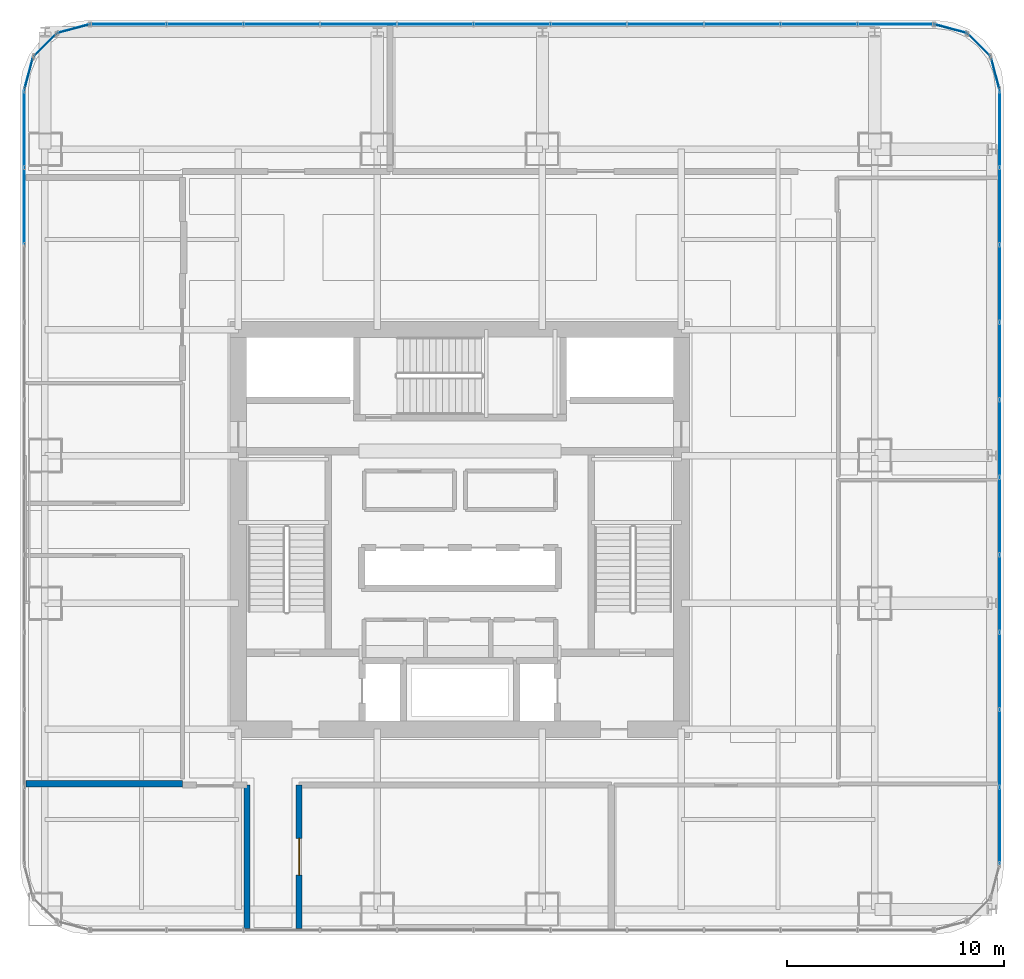
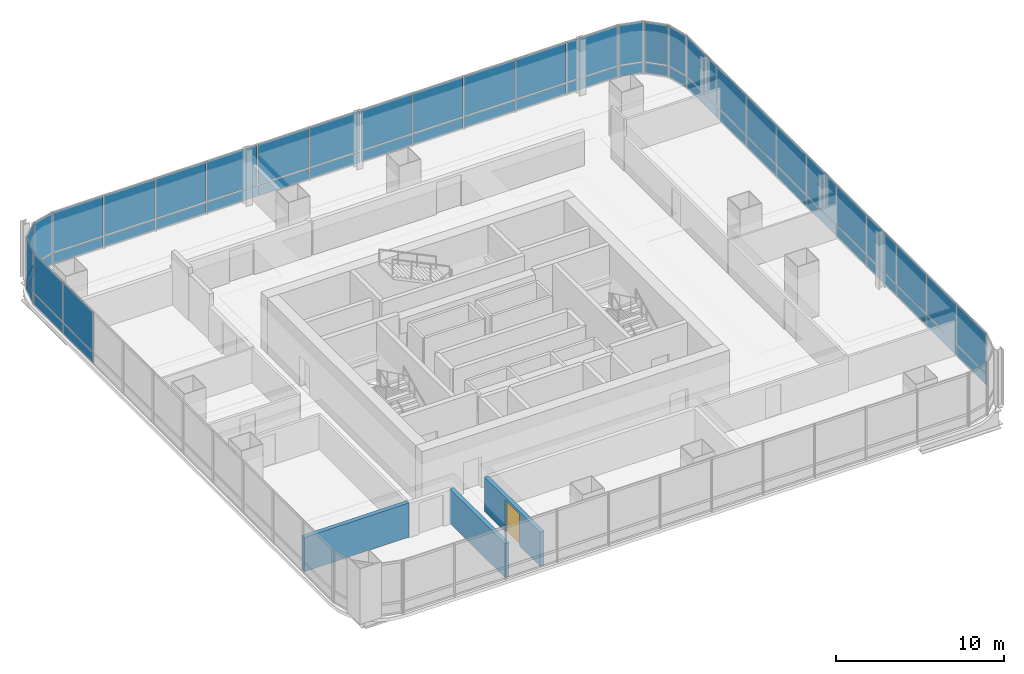
# One storey, part 26 of 34: 58 plates, 3 walls, 1 door, 1 opening, 9 elements without a shape of their own.
"""IFC4 building model written with IfcOpenShell, lengths in metres."""

from ifc_helpers import new_model, si_unit, direction, frame, frame_2d, origin, origin_2d, place, context, subcontext, project, spatial, rectangle, extrude, material, layer, layer_set, type_object, element, fill, aggregate, save


model = new_model("IFC4")

# Units and contexts
model_context = context("Model", 3, precision=1e-05, world=origin(), true_north=direction((0.0, 1.0)))
body_context = subcontext(model_context, "Body", "Model", "MODEL_VIEW")
ifc_project = project(units=[si_unit("LENGTHUNIT", "METRE"), si_unit("AREAUNIT", "SQUARE_METRE"), si_unit("VOLUMEUNIT", "CUBIC_METRE"), si_unit("PLANEANGLEUNIT", "RADIAN"), si_unit("MASSUNIT", "GRAM", prefix="KILO")], contexts=[model_context])

# Site, building, storey
site_placement = place(None, origin())
site = spatial("IfcSite", under=ifc_project, at=site_placement, CompositionType="ELEMENT")
building_placement = place(site_placement, origin())
building = spatial("IfcBuilding", under=site, at=building_placement, Name="Punatoya Terracotta Tower", CompositionType="ELEMENT")
storey_placement = place(building_placement, frame((0.0, 0.0, 105.14990234375)))
storey = spatial("IfcBuildingStorey", under=building, at=storey_placement, Name="L24", CompositionType="ELEMENT", Elevation=105.14990234375)

# Curtain wall, plates
ifc_material_1 = material(Name="Aluminium 6063-T6 + Double Low-E Glass", Category="aluminium")
curtain_wall_type = type_object("IfcCurtainWallType", Name="CW-M1", PredefinedType="NOTDEFINED", material=ifc_material_1)
curtain_wall_1_placement = place(storey_placement, origin())
curtain_wall_1 = element("IfcCurtainWall", 1, at=curtain_wall_1_placement, inside=storey, type_object=curtain_wall_type, Name="L24 Curtain Wall CW-L24-E05-1", PredefinedType="NOTDEFINED")
ifc_material_2 = material(Name="Double Low-E Clear Vision Glass", Category="glass")
ifc_layer_1 = layer(ifc_material_2, 0.028076171875)
ifc_layer_set_1 = layer_set([ifc_layer_1], Name="Double Low-E Clear Vision Glass")
plate_type_1 = type_object("IfcPlateType", Name="PLT-GLZ-28", PredefinedType="CURTAIN_PANEL", material=ifc_layer_set_1)
plate_1_placement = place(storey_placement, frame((24.85009765625, -13.6533203125, 0.89013671875), z_axis=(0.0, 0.0, 1.0), x_axis=(0.0, 1.0, 0.0)))
plate_1 = element("IfcPlate", 2, at=plate_1_placement, type_object=plate_type_1, Name="CW-L24-E05-1 Vision Glass Panel 1", PredefinedType="CURTAIN_PANEL", context=body_context, shape_type="SweptSolid", body=[
    extrude(rectangle(XDim=3.482421875, YDim=0.028076171875, at=origin_2d()), origin(), (0.0, 0.0, 1.0), 2.8798828125),
])
plate_2_placement = place(storey_placement, frame((24.85009765625, -10.085693359375, 0.89013671875), z_axis=(0.0, 0.0, 1.0), x_axis=(0.0, 1.0, 0.0)))
plate_2 = element("IfcPlate", 3, at=plate_2_placement, type_object=plate_type_1, Name="CW-L24-E05-1 Vision Glass Panel 2", PredefinedType="CURTAIN_PANEL", context=body_context, shape_type="SweptSolid", body=[
    extrude(rectangle(XDim=3.482421875, YDim=0.028076171875, at=origin_2d()), origin(), (0.0, 0.0, 1.0), 2.8798828125),
])
plate_3_placement = place(storey_placement, frame((24.85009765625, -6.518310546875, 0.89013671875), z_axis=(0.0, 0.0, 1.0), x_axis=(0.0, 1.0, 0.0)))
plate_3 = element("IfcPlate", 4, at=plate_3_placement, type_object=plate_type_1, Name="CW-L24-E05-1 Vision Glass Panel 3", PredefinedType="CURTAIN_PANEL", context=body_context, shape_type="SweptSolid", body=[
    extrude(rectangle(XDim=3.482421875, YDim=0.028076171875, at=origin_2d()), origin(), (0.0, 0.0, 1.0), 2.8798828125),
])
plate_4_placement = place(storey_placement, frame((24.85009765625, -2.951171875, 0.89013671875), z_axis=(0.0, 0.0, 1.0), x_axis=(0.0, 1.0, 0.0)))
plate_4 = element("IfcPlate", 5, at=plate_4_placement, type_object=plate_type_1, Name="CW-L24-E05-1 Vision Glass Panel 4", PredefinedType="CURTAIN_PANEL", context=body_context, shape_type="SweptSolid", body=[
    extrude(rectangle(XDim=3.482421875, YDim=0.028076171875, at=origin_2d()), origin(), (0.0, 0.0, 1.0), 2.8798828125),
])
plate_5_placement = place(storey_placement, frame((24.85009765625, 0.6162109375, 0.89013671875), z_axis=(0.0, 0.0, 1.0), x_axis=(0.0, 1.0, 0.0)))
plate_5 = element("IfcPlate", 6, at=plate_5_placement, type_object=plate_type_1, Name="CW-L24-E05-1 Vision Glass Panel 5", PredefinedType="CURTAIN_PANEL", context=body_context, shape_type="SweptSolid", body=[
    extrude(rectangle(XDim=3.482421875, YDim=0.028076171875, at=origin_2d()), origin(), (0.0, 0.0, 1.0), 2.8798828125),
])
plate_6_placement = place(storey_placement, frame((24.85009765625, 4.18359375, 0.89013671875), z_axis=(0.0, 0.0, 1.0), x_axis=(0.0, 1.0, 0.0)))
plate_6 = element("IfcPlate", 7, at=plate_6_placement, type_object=plate_type_1, Name="CW-L24-E05-1 Vision Glass Panel 6", PredefinedType="CURTAIN_PANEL", context=body_context, shape_type="SweptSolid", body=[
    extrude(rectangle(XDim=3.482421875, YDim=0.028076171875, at=origin_2d()), origin(), (0.0, 0.0, 1.0), 2.8798828125),
])
plate_7_placement = place(storey_placement, frame((24.85009765625, 7.751220703125, 0.89013671875), z_axis=(0.0, 0.0, 1.0), x_axis=(0.0, 1.0, 0.0)))
plate_7 = element("IfcPlate", 8, at=plate_7_placement, type_object=plate_type_1, Name="CW-L24-E05-1 Vision Glass Panel 7", PredefinedType="CURTAIN_PANEL", context=body_context, shape_type="SweptSolid", body=[
    extrude(rectangle(XDim=3.482421875, YDim=0.028076171875, at=origin_2d()), origin(), (0.0, 0.0, 1.0), 2.8798828125),
])
plate_8_placement = place(storey_placement, frame((24.85009765625, 11.318359375, 0.89013671875), z_axis=(0.0, 0.0, 1.0), x_axis=(0.0, 1.0, 0.0)))
plate_8 = element("IfcPlate", 9, at=plate_8_placement, type_object=plate_type_1, Name="CW-L24-E05-1 Vision Glass Panel 8", PredefinedType="CURTAIN_PANEL", context=body_context, shape_type="SweptSolid", body=[
    extrude(rectangle(XDim=3.482421875, YDim=0.028076171875, at=origin_2d()), origin(), (0.0, 0.0, 1.0), 2.8798828125),
])
plate_9_placement = place(storey_placement, frame((24.85009765625, 14.8857421875, 0.89013671875), z_axis=(0.0, 0.0, 1.0), x_axis=(0.0, 1.0, 0.0)))
plate_9 = element("IfcPlate", 10, at=plate_9_placement, type_object=plate_type_1, Name="CW-L24-E05-1 Vision Glass Panel 9", PredefinedType="CURTAIN_PANEL", context=body_context, shape_type="SweptSolid", body=[
    extrude(rectangle(XDim=3.482421875, YDim=0.028076171875, at=origin_2d()), origin(), (0.0, 0.0, 1.0), 2.8798828125),
])
plate_10_placement = place(storey_placement, frame((24.85009765625, 18.453125, 0.89013671875), z_axis=(0.0, 0.0, 1.0), x_axis=(0.0, 1.0, 0.0)))
plate_10 = element("IfcPlate", 11, at=plate_10_placement, type_object=plate_type_1, Name="CW-L24-E05-1 Vision Glass Panel 10", PredefinedType="CURTAIN_PANEL", context=body_context, shape_type="SweptSolid", body=[
    extrude(rectangle(XDim=3.482421875, YDim=0.028076171875, at=origin_2d()), origin(), (0.0, 0.0, 1.0), 2.8798828125),
])

# Curtain wall, plate
curtain_wall_2_placement = place(storey_placement, origin())
curtain_wall_2 = element("IfcCurtainWall", 12, at=curtain_wall_2_placement, inside=storey, type_object=curtain_wall_type, Name="L24 Curtain Wall CW-L24-CRN06", PredefinedType="NOTDEFINED")
plate_11_placement = place(storey_placement, frame((24.648193359375, 20.992919921875, 0.89013671875), z_axis=(0.0, 0.0, 1.0), x_axis=(-0.257741620719, 0.966213877436, 0.0)))
plate_11 = element("IfcPlate", 13, at=plate_11_placement, type_object=plate_type_1, Name="CW-L24-CRN06 Vision Glass Panel 1", PredefinedType="CURTAIN_PANEL", context=body_context, shape_type="SweptSolid", body=[
    extrude(rectangle(XDim=1.47998046875, YDim=0.028076171875, at=origin_2d()), origin(), (0.0, 0.0, 1.0), 2.8798828125),
])

curtain_wall_3_placement = place(storey_placement, origin())
curtain_wall_3 = element("IfcCurtainWall", 14, at=curtain_wall_3_placement, inside=storey, type_object=curtain_wall_type, Name="L24 Curtain Wall CW-L24-CRN07", PredefinedType="NOTDEFINED")
plate_12_placement = place(storey_placement, frame((23.89794921875, 22.2978515625, 0.89013671875), z_axis=(0.0, 0.0, 1.0), x_axis=(-0.707106781187, 0.707106781187, 0.0)))
plate_12 = element("IfcPlate", 15, at=plate_12_placement, type_object=plate_type_1, Name="CW-L24-CRN07 Vision Glass Panel 1", PredefinedType="CURTAIN_PANEL", context=body_context, shape_type="SweptSolid", body=[
    extrude(rectangle(XDim=1.467041015625, YDim=0.028076171875, at=origin_2d()), origin(), (0.0, 0.0, 1.0), 2.8798828125),
])

curtain_wall_4_placement = place(storey_placement, origin())
curtain_wall_4 = element("IfcCurtainWall", 16, at=curtain_wall_4_placement, inside=storey, type_object=curtain_wall_type, Name="L24 Curtain Wall CW-L24-CRN08", PredefinedType="NOTDEFINED")
plate_13_placement = place(storey_placement, frame((22.593017578125, 23.04833984375, 0.89013671875), z_axis=(0.0, 0.0, 1.0), x_axis=(-0.966213877436, 0.257741620719, 0.0)))
plate_13 = element("IfcPlate", 17, at=plate_13_placement, type_object=plate_type_1, Name="CW-L24-CRN08 Vision Glass Panel 1", PredefinedType="CURTAIN_PANEL", context=body_context, shape_type="SweptSolid", body=[
    extrude(rectangle(XDim=1.47998046875, YDim=0.028076171875, at=origin_2d()), origin(), (0.0, 0.0, 1.0), 2.8798828125),
])

# Curtain wall, plates
curtain_wall_5_placement = place(storey_placement, origin())
curtain_wall_5 = element("IfcCurtainWall", 18, at=curtain_wall_5_placement, inside=storey, type_object=curtain_wall_type, Name="L24 Curtain Wall CW-L24-N09-1", PredefinedType="NOTDEFINED")
plate_14_placement = place(storey_placement, frame((20.06982421875, 23.25, 0.89013671875), z_axis=(0.0, 0.0, 1.0), x_axis=(-1.0, 0.0, 0.0)))
plate_14 = element("IfcPlate", 19, at=plate_14_placement, type_object=plate_type_1, Name="CW-L24-N09-1 Vision Glass Panel 1", PredefinedType="CURTAIN_PANEL", context=body_context, shape_type="SweptSolid", body=[
    extrude(rectangle(XDim=3.448974609375, YDim=0.028076171875, at=origin_2d()), origin(), (0.0, 0.0, 1.0), 2.8798828125),
])
plate_15_placement = place(storey_placement, frame((16.535888671875, 23.25, 0.89013671875), z_axis=(0.0, 0.0, 1.0), x_axis=(-1.0, 0.0, 0.0)))
plate_15 = element("IfcPlate", 20, at=plate_15_placement, type_object=plate_type_1, Name="CW-L24-N09-1 Vision Glass Panel 2", PredefinedType="CURTAIN_PANEL", context=body_context, shape_type="SweptSolid", body=[
    extrude(rectangle(XDim=3.448974609375, YDim=0.028076171875, at=origin_2d()), origin(), (0.0, 0.0, 1.0), 2.8798828125),
])
plate_16_placement = place(storey_placement, frame((13.001953125, 23.25, 0.89013671875), z_axis=(0.0, 0.0, 1.0), x_axis=(-1.0, 0.0, 0.0)))
plate_16 = element("IfcPlate", 21, at=plate_16_placement, type_object=plate_type_1, Name="CW-L24-N09-1 Vision Glass Panel 3", PredefinedType="CURTAIN_PANEL", context=body_context, shape_type="SweptSolid", body=[
    extrude(rectangle(XDim=3.448974609375, YDim=0.028076171875, at=origin_2d()), origin(), (0.0, 0.0, 1.0), 2.8798828125),
])
plate_17_placement = place(storey_placement, frame((9.468017578125, 23.25, 0.89013671875), z_axis=(0.0, 0.0, 1.0), x_axis=(-1.0, 0.0, 0.0)))
plate_17 = element("IfcPlate", 22, at=plate_17_placement, type_object=plate_type_1, Name="CW-L24-N09-1 Vision Glass Panel 4", PredefinedType="CURTAIN_PANEL", context=body_context, shape_type="SweptSolid", body=[
    extrude(rectangle(XDim=3.448974609375, YDim=0.028076171875, at=origin_2d()), origin(), (0.0, 0.0, 1.0), 2.8798828125),
])
plate_18_placement = place(storey_placement, frame((5.93408203125, 23.25, 0.89013671875), z_axis=(0.0, 0.0, 1.0), x_axis=(-1.0, 0.0, 0.0)))
plate_18 = element("IfcPlate", 23, at=plate_18_placement, type_object=plate_type_1, Name="CW-L24-N09-1 Vision Glass Panel 5", PredefinedType="CURTAIN_PANEL", context=body_context, shape_type="SweptSolid", body=[
    extrude(rectangle(XDim=3.448974609375, YDim=0.028076171875, at=origin_2d()), origin(), (0.0, 0.0, 1.0), 2.8798828125),
])
plate_19_placement = place(storey_placement, frame((2.39990234375, 23.25, 0.89013671875), z_axis=(0.0, 0.0, 1.0), x_axis=(-1.0, 0.0, 0.0)))
plate_19 = element("IfcPlate", 24, at=plate_19_placement, type_object=plate_type_1, Name="CW-L24-N09-1 Vision Glass Panel 6", PredefinedType="CURTAIN_PANEL", context=body_context, shape_type="SweptSolid", body=[
    extrude(rectangle(XDim=3.448974609375, YDim=0.028076171875, at=origin_2d()), origin(), (0.0, 0.0, 1.0), 2.8798828125),
])
plate_20_placement = place(storey_placement, frame((-1.134033203125, 23.25, 0.89013671875), z_axis=(0.0, 0.0, 1.0), x_axis=(-1.0, 0.0, 0.0)))
plate_20 = element("IfcPlate", 25, at=plate_20_placement, type_object=plate_type_1, Name="CW-L24-N09-1 Vision Glass Panel 7", PredefinedType="CURTAIN_PANEL", context=body_context, shape_type="SweptSolid", body=[
    extrude(rectangle(XDim=3.448974609375, YDim=0.028076171875, at=origin_2d()), origin(), (0.0, 0.0, 1.0), 2.8798828125),
])
plate_21_placement = place(storey_placement, frame((-4.66796875, 23.25, 0.89013671875), z_axis=(0.0, 0.0, 1.0), x_axis=(-1.0, 0.0, 0.0)))
plate_21 = element("IfcPlate", 26, at=plate_21_placement, type_object=plate_type_1, Name="CW-L24-N09-1 Vision Glass Panel 8", PredefinedType="CURTAIN_PANEL", context=body_context, shape_type="SweptSolid", body=[
    extrude(rectangle(XDim=3.448974609375, YDim=0.028076171875, at=origin_2d()), origin(), (0.0, 0.0, 1.0), 2.8798828125),
])
plate_22_placement = place(storey_placement, frame((-8.201904296875, 23.25, 0.89013671875), z_axis=(0.0, 0.0, 1.0), x_axis=(-1.0, 0.0, 0.0)))
plate_22 = element("IfcPlate", 27, at=plate_22_placement, type_object=plate_type_1, Name="CW-L24-N09-1 Vision Glass Panel 9", PredefinedType="CURTAIN_PANEL", context=body_context, shape_type="SweptSolid", body=[
    extrude(rectangle(XDim=3.448974609375, YDim=0.028076171875, at=origin_2d()), origin(), (0.0, 0.0, 1.0), 2.8798828125),
])
plate_23_placement = place(storey_placement, frame((-11.73583984375, 23.25, 0.89013671875), z_axis=(0.0, 0.0, 1.0), x_axis=(-1.0, 0.0, 0.0)))
plate_23 = element("IfcPlate", 28, at=plate_23_placement, type_object=plate_type_1, Name="CW-L24-N09-1 Vision Glass Panel 10", PredefinedType="CURTAIN_PANEL", context=body_context, shape_type="SweptSolid", body=[
    extrude(rectangle(XDim=3.448974609375, YDim=0.028076171875, at=origin_2d()), origin(), (0.0, 0.0, 1.0), 2.8798828125),
])
plate_24_placement = place(storey_placement, frame((-15.27001953125, 23.25, 0.89013671875), z_axis=(0.0, 0.0, 1.0), x_axis=(-1.0, 0.0, 0.0)))
plate_24 = element("IfcPlate", 29, at=plate_24_placement, type_object=plate_type_1, Name="CW-L24-N09-1 Vision Glass Panel 11", PredefinedType="CURTAIN_PANEL", context=body_context, shape_type="SweptSolid", body=[
    extrude(rectangle(XDim=3.448974609375, YDim=0.028076171875, at=origin_2d()), origin(), (0.0, 0.0, 1.0), 2.8798828125),
])

# Curtain wall, plate
curtain_wall_6_placement = place(storey_placement, origin())
curtain_wall_6 = element("IfcCurtainWall", 30, at=curtain_wall_6_placement, inside=storey, type_object=curtain_wall_type, Name="L24 Curtain Wall CW-L24-CRN10", PredefinedType="NOTDEFINED")
plate_25_placement = place(storey_placement, frame((-17.79296875, 23.04833984375, 0.89013671875), z_axis=(0.0, 0.0, 1.0), x_axis=(-0.966213877436, -0.257741620719, 0.0)))
plate_25 = element("IfcPlate", 31, at=plate_25_placement, type_object=plate_type_1, Name="CW-L24-CRN10 Vision Glass Panel 1", PredefinedType="CURTAIN_PANEL", context=body_context, shape_type="SweptSolid", body=[
    extrude(rectangle(XDim=1.47998046875, YDim=0.028076171875, at=origin_2d()), origin(), (0.0, 0.0, 1.0), 2.8798828125),
])

curtain_wall_7_placement = place(storey_placement, origin())
curtain_wall_7 = element("IfcCurtainWall", 32, at=curtain_wall_7_placement, inside=storey, type_object=curtain_wall_type, Name="L24 Curtain Wall CW-L24-CRN11", PredefinedType="NOTDEFINED")
plate_26_placement = place(storey_placement, frame((-19.097900390625, 22.2978515625, 0.89013671875), z_axis=(0.0, 0.0, 1.0), x_axis=(-0.707106781187, -0.707106781187, 0.0)))
plate_26 = element("IfcPlate", 33, at=plate_26_placement, type_object=plate_type_1, Name="CW-L24-CRN11 Vision Glass Panel 1", PredefinedType="CURTAIN_PANEL", context=body_context, shape_type="SweptSolid", body=[
    extrude(rectangle(XDim=1.467041015625, YDim=0.028076171875, at=origin_2d()), origin(), (0.0, 0.0, 1.0), 2.8798828125),
])

curtain_wall_8_placement = place(storey_placement, origin())
curtain_wall_8 = element("IfcCurtainWall", 34, at=curtain_wall_8_placement, inside=storey, type_object=curtain_wall_type, Name="L24 Curtain Wall CW-L24-CRN12", PredefinedType="NOTDEFINED")
plate_27_placement = place(storey_placement, frame((-19.848388671875, 20.992919921875, 0.89013671875), z_axis=(0.0, 0.0, 1.0), x_axis=(-0.257741620719, -0.966213877436, 0.0)))
plate_27 = element("IfcPlate", 35, at=plate_27_placement, type_object=plate_type_1, Name="CW-L24-CRN12 Vision Glass Panel 1", PredefinedType="CURTAIN_PANEL", context=body_context, shape_type="SweptSolid", body=[
    extrude(rectangle(XDim=1.47998046875, YDim=0.028076171875, at=origin_2d()), origin(), (0.0, 0.0, 1.0), 2.8798828125),
])

# Curtain wall, plates
curtain_wall_9_placement = place(storey_placement, origin())
curtain_wall_9 = element("IfcCurtainWall", 36, at=curtain_wall_9_placement, inside=storey, type_object=curtain_wall_type, Name="L24 Curtain Wall CW-L24-W13-1", PredefinedType="NOTDEFINED")
plate_28_placement = place(storey_placement, frame((-20.050048828125, 18.453125, 0.89013671875), z_axis=(0.0, 0.0, 1.0), x_axis=(0.0, -1.0, 0.0)))
plate_28 = element("IfcPlate", 37, at=plate_28_placement, type_object=plate_type_1, Name="CW-L24-W13-1 Vision Glass Panel 1", PredefinedType="CURTAIN_PANEL", context=body_context, shape_type="SweptSolid", body=[
    extrude(rectangle(XDim=3.482421875, YDim=0.028076171875, at=origin_2d()), origin(), (0.0, 0.0, 1.0), 2.8798828125),
])
plate_29_placement = place(storey_placement, frame((-20.050048828125, 14.8857421875, 0.89013671875), z_axis=(0.0, 0.0, 1.0), x_axis=(0.0, -1.0, 0.0)))
plate_29 = element("IfcPlate", 38, at=plate_29_placement, type_object=plate_type_1, Name="CW-L24-W13-1 Vision Glass Panel 2", PredefinedType="CURTAIN_PANEL", context=body_context, shape_type="SweptSolid", body=[
    extrude(rectangle(XDim=3.482421875, YDim=0.028076171875, at=origin_2d()), origin(), (0.0, 0.0, 1.0), 2.8798828125),
])

# Plate
ifc_material_3 = material(Name="Insulated Terracotta-Backed Spandrel Panel", Category="masonry")
ifc_layer_2 = layer(ifc_material_3, 0.044921875)
ifc_layer_set_2 = layer_set([ifc_layer_2], Name="Insulated Terracotta-Backed Spandrel Panel")
plate_type_2 = type_object("IfcPlateType", Name="PLT-SPN-45", PredefinedType="CURTAIN_PANEL", material=ifc_layer_set_2)
plate_30_placement = place(storey_placement, frame((24.85009765625, -13.6533203125, 0.0400390625), z_axis=(0.0, 0.0, 1.0), x_axis=(0.0, 1.0, 0.0)))
plate_30 = element("IfcPlate", 39, at=plate_30_placement, type_object=plate_type_2, Name="CW-L24-E05-1 Terracotta Spandrel Panel 1", PredefinedType="CURTAIN_PANEL", context=body_context, shape_type="SweptSolid", body=[
    extrude(rectangle(XDim=3.482421875, YDim=0.044921875, at=origin_2d()), origin(), (0.0, 0.0, 1.0), 0.77490234375),
])

plate_31_placement = place(storey_placement, frame((24.85009765625, -10.085693359375, 0.0400390625), z_axis=(0.0, 0.0, 1.0), x_axis=(0.0, 1.0, 0.0)))
plate_31 = element("IfcPlate", 40, at=plate_31_placement, type_object=plate_type_2, Name="CW-L24-E05-1 Terracotta Spandrel Panel 2", PredefinedType="CURTAIN_PANEL", context=body_context, shape_type="SweptSolid", body=[
    extrude(rectangle(XDim=3.482421875, YDim=0.044921875, at=origin_2d()), origin(), (0.0, 0.0, 1.0), 0.77490234375),
])

plate_32_placement = place(storey_placement, frame((24.85009765625, -6.518310546875, 0.0400390625), z_axis=(0.0, 0.0, 1.0), x_axis=(0.0, 1.0, 0.0)))
plate_32 = element("IfcPlate", 41, at=plate_32_placement, type_object=plate_type_2, Name="CW-L24-E05-1 Terracotta Spandrel Panel 3", PredefinedType="CURTAIN_PANEL", context=body_context, shape_type="SweptSolid", body=[
    extrude(rectangle(XDim=3.482421875, YDim=0.044921875, at=origin_2d()), origin(), (0.0, 0.0, 1.0), 0.77490234375),
])

plate_33_placement = place(storey_placement, frame((24.85009765625, -2.951171875, 0.0400390625), z_axis=(0.0, 0.0, 1.0), x_axis=(0.0, 1.0, 0.0)))
plate_33 = element("IfcPlate", 42, at=plate_33_placement, type_object=plate_type_2, Name="CW-L24-E05-1 Terracotta Spandrel Panel 4", PredefinedType="CURTAIN_PANEL", context=body_context, shape_type="SweptSolid", body=[
    extrude(rectangle(XDim=3.482421875, YDim=0.044921875, at=origin_2d()), origin(), (0.0, 0.0, 1.0), 0.77490234375),
])

plate_34_placement = place(storey_placement, frame((24.85009765625, 0.6162109375, 0.0400390625), z_axis=(0.0, 0.0, 1.0), x_axis=(0.0, 1.0, 0.0)))
plate_34 = element("IfcPlate", 43, at=plate_34_placement, type_object=plate_type_2, Name="CW-L24-E05-1 Terracotta Spandrel Panel 5", PredefinedType="CURTAIN_PANEL", context=body_context, shape_type="SweptSolid", body=[
    extrude(rectangle(XDim=3.482421875, YDim=0.044921875, at=origin_2d()), origin(), (0.0, 0.0, 1.0), 0.77490234375),
])

plate_35_placement = place(storey_placement, frame((24.85009765625, 4.18359375, 0.0400390625), z_axis=(0.0, 0.0, 1.0), x_axis=(0.0, 1.0, 0.0)))
plate_35 = element("IfcPlate", 44, at=plate_35_placement, type_object=plate_type_2, Name="CW-L24-E05-1 Terracotta Spandrel Panel 6", PredefinedType="CURTAIN_PANEL", context=body_context, shape_type="SweptSolid", body=[
    extrude(rectangle(XDim=3.482421875, YDim=0.044921875, at=origin_2d()), origin(), (0.0, 0.0, 1.0), 0.77490234375),
])

plate_36_placement = place(storey_placement, frame((24.85009765625, 7.751220703125, 0.0400390625), z_axis=(0.0, 0.0, 1.0), x_axis=(0.0, 1.0, 0.0)))
plate_36 = element("IfcPlate", 45, at=plate_36_placement, type_object=plate_type_2, Name="CW-L24-E05-1 Terracotta Spandrel Panel 7", PredefinedType="CURTAIN_PANEL", context=body_context, shape_type="SweptSolid", body=[
    extrude(rectangle(XDim=3.482421875, YDim=0.044921875, at=origin_2d()), origin(), (0.0, 0.0, 1.0), 0.77490234375),
])

plate_37_placement = place(storey_placement, frame((24.85009765625, 11.318359375, 0.0400390625), z_axis=(0.0, 0.0, 1.0), x_axis=(0.0, 1.0, 0.0)))
plate_37 = element("IfcPlate", 46, at=plate_37_placement, type_object=plate_type_2, Name="CW-L24-E05-1 Terracotta Spandrel Panel 8", PredefinedType="CURTAIN_PANEL", context=body_context, shape_type="SweptSolid", body=[
    extrude(rectangle(XDim=3.482421875, YDim=0.044921875, at=origin_2d()), origin(), (0.0, 0.0, 1.0), 0.77490234375),
])

plate_38_placement = place(storey_placement, frame((24.85009765625, 14.8857421875, 0.0400390625), z_axis=(0.0, 0.0, 1.0), x_axis=(0.0, 1.0, 0.0)))
plate_38 = element("IfcPlate", 47, at=plate_38_placement, type_object=plate_type_2, Name="CW-L24-E05-1 Terracotta Spandrel Panel 9", PredefinedType="CURTAIN_PANEL", context=body_context, shape_type="SweptSolid", body=[
    extrude(rectangle(XDim=3.482421875, YDim=0.044921875, at=origin_2d()), origin(), (0.0, 0.0, 1.0), 0.77490234375),
])

plate_39_placement = place(storey_placement, frame((24.85009765625, 18.453125, 0.0400390625), z_axis=(0.0, 0.0, 1.0), x_axis=(0.0, 1.0, 0.0)))
plate_39 = element("IfcPlate", 48, at=plate_39_placement, type_object=plate_type_2, Name="CW-L24-E05-1 Terracotta Spandrel Panel 10", PredefinedType="CURTAIN_PANEL", context=body_context, shape_type="SweptSolid", body=[
    extrude(rectangle(XDim=3.482421875, YDim=0.044921875, at=origin_2d()), origin(), (0.0, 0.0, 1.0), 0.77490234375),
])

aggregate(curtain_wall_1, [plate_30, plate_1, plate_31, plate_2, plate_32, plate_3, plate_33, plate_4, plate_34, plate_5, plate_35, plate_6, plate_36, plate_7, plate_37, plate_8, plate_38, plate_9, plate_39, plate_10])

plate_40_placement = place(storey_placement, frame((24.648193359375, 20.992919921875, 0.0400390625), z_axis=(0.0, 0.0, 1.0), x_axis=(-0.257741620719, 0.966213877436, 0.0)))
plate_40 = element("IfcPlate", 49, at=plate_40_placement, type_object=plate_type_2, Name="CW-L24-CRN06 Terracotta Spandrel Panel 1", PredefinedType="CURTAIN_PANEL", context=body_context, shape_type="SweptSolid", body=[
    extrude(rectangle(XDim=1.47998046875, YDim=0.044921875, at=origin_2d()), origin(), (0.0, 0.0, 1.0), 0.77490234375),
])

aggregate(curtain_wall_2, [plate_40, plate_11])

plate_41_placement = place(storey_placement, frame((23.89794921875, 22.2978515625, 0.0400390625), z_axis=(0.0, 0.0, 1.0), x_axis=(-0.707106781187, 0.707106781187, 0.0)))
plate_41 = element("IfcPlate", 50, at=plate_41_placement, type_object=plate_type_2, Name="CW-L24-CRN07 Terracotta Spandrel Panel 1", PredefinedType="CURTAIN_PANEL", context=body_context, shape_type="SweptSolid", body=[
    extrude(rectangle(XDim=1.467041015625, YDim=0.044921875, at=origin_2d()), origin(), (0.0, 0.0, 1.0), 0.77490234375),
])

aggregate(curtain_wall_3, [plate_41, plate_12])

plate_42_placement = place(storey_placement, frame((22.593017578125, 23.04833984375, 0.0400390625), z_axis=(0.0, 0.0, 1.0), x_axis=(-0.966213877436, 0.257741620719, 0.0)))
plate_42 = element("IfcPlate", 51, at=plate_42_placement, type_object=plate_type_2, Name="CW-L24-CRN08 Terracotta Spandrel Panel 1", PredefinedType="CURTAIN_PANEL", context=body_context, shape_type="SweptSolid", body=[
    extrude(rectangle(XDim=1.47998046875, YDim=0.044921875, at=origin_2d()), origin(), (0.0, 0.0, 1.0), 0.77490234375),
])

aggregate(curtain_wall_4, [plate_42, plate_13])

plate_43_placement = place(storey_placement, frame((20.06982421875, 23.25, 0.0400390625), z_axis=(0.0, 0.0, 1.0), x_axis=(-1.0, 0.0, 0.0)))
plate_43 = element("IfcPlate", 52, at=plate_43_placement, type_object=plate_type_2, Name="CW-L24-N09-1 Terracotta Spandrel Panel 1", PredefinedType="CURTAIN_PANEL", context=body_context, shape_type="SweptSolid", body=[
    extrude(rectangle(XDim=3.448974609375, YDim=0.044921875, at=origin_2d()), origin(), (0.0, 0.0, 1.0), 0.77490234375),
])

plate_44_placement = place(storey_placement, frame((16.535888671875, 23.25, 0.0400390625), z_axis=(0.0, 0.0, 1.0), x_axis=(-1.0, 0.0, 0.0)))
plate_44 = element("IfcPlate", 53, at=plate_44_placement, type_object=plate_type_2, Name="CW-L24-N09-1 Terracotta Spandrel Panel 2", PredefinedType="CURTAIN_PANEL", context=body_context, shape_type="SweptSolid", body=[
    extrude(rectangle(XDim=3.448974609375, YDim=0.044921875, at=origin_2d()), origin(), (0.0, 0.0, 1.0), 0.77490234375),
])

plate_45_placement = place(storey_placement, frame((13.001953125, 23.25, 0.0400390625), z_axis=(0.0, 0.0, 1.0), x_axis=(-1.0, 0.0, 0.0)))
plate_45 = element("IfcPlate", 54, at=plate_45_placement, type_object=plate_type_2, Name="CW-L24-N09-1 Terracotta Spandrel Panel 3", PredefinedType="CURTAIN_PANEL", context=body_context, shape_type="SweptSolid", body=[
    extrude(rectangle(XDim=3.448974609375, YDim=0.044921875, at=origin_2d()), origin(), (0.0, 0.0, 1.0), 0.77490234375),
])

plate_46_placement = place(storey_placement, frame((9.468017578125, 23.25, 0.0400390625), z_axis=(0.0, 0.0, 1.0), x_axis=(-1.0, 0.0, 0.0)))
plate_46 = element("IfcPlate", 55, at=plate_46_placement, type_object=plate_type_2, Name="CW-L24-N09-1 Terracotta Spandrel Panel 4", PredefinedType="CURTAIN_PANEL", context=body_context, shape_type="SweptSolid", body=[
    extrude(rectangle(XDim=3.448974609375, YDim=0.044921875, at=origin_2d()), origin(), (0.0, 0.0, 1.0), 0.77490234375),
])

plate_47_placement = place(storey_placement, frame((5.93408203125, 23.25, 0.0400390625), z_axis=(0.0, 0.0, 1.0), x_axis=(-1.0, 0.0, 0.0)))
plate_47 = element("IfcPlate", 56, at=plate_47_placement, type_object=plate_type_2, Name="CW-L24-N09-1 Terracotta Spandrel Panel 5", PredefinedType="CURTAIN_PANEL", context=body_context, shape_type="SweptSolid", body=[
    extrude(rectangle(XDim=3.448974609375, YDim=0.044921875, at=origin_2d()), origin(), (0.0, 0.0, 1.0), 0.77490234375),
])

plate_48_placement = place(storey_placement, frame((2.39990234375, 23.25, 0.0400390625), z_axis=(0.0, 0.0, 1.0), x_axis=(-1.0, 0.0, 0.0)))
plate_48 = element("IfcPlate", 57, at=plate_48_placement, type_object=plate_type_2, Name="CW-L24-N09-1 Terracotta Spandrel Panel 6", PredefinedType="CURTAIN_PANEL", context=body_context, shape_type="SweptSolid", body=[
    extrude(rectangle(XDim=3.448974609375, YDim=0.044921875, at=origin_2d()), origin(), (0.0, 0.0, 1.0), 0.77490234375),
])

plate_49_placement = place(storey_placement, frame((-1.134033203125, 23.25, 0.0400390625), z_axis=(0.0, 0.0, 1.0), x_axis=(-1.0, 0.0, 0.0)))
plate_49 = element("IfcPlate", 58, at=plate_49_placement, type_object=plate_type_2, Name="CW-L24-N09-1 Terracotta Spandrel Panel 7", PredefinedType="CURTAIN_PANEL", context=body_context, shape_type="SweptSolid", body=[
    extrude(rectangle(XDim=3.448974609375, YDim=0.044921875, at=origin_2d()), origin(), (0.0, 0.0, 1.0), 0.77490234375),
])

plate_50_placement = place(storey_placement, frame((-4.66796875, 23.25, 0.0400390625), z_axis=(0.0, 0.0, 1.0), x_axis=(-1.0, 0.0, 0.0)))
plate_50 = element("IfcPlate", 59, at=plate_50_placement, type_object=plate_type_2, Name="CW-L24-N09-1 Terracotta Spandrel Panel 8", PredefinedType="CURTAIN_PANEL", context=body_context, shape_type="SweptSolid", body=[
    extrude(rectangle(XDim=3.448974609375, YDim=0.044921875, at=origin_2d()), origin(), (0.0, 0.0, 1.0), 0.77490234375),
])

plate_51_placement = place(storey_placement, frame((-8.201904296875, 23.25, 0.0400390625), z_axis=(0.0, 0.0, 1.0), x_axis=(-1.0, 0.0, 0.0)))
plate_51 = element("IfcPlate", 60, at=plate_51_placement, type_object=plate_type_2, Name="CW-L24-N09-1 Terracotta Spandrel Panel 9", PredefinedType="CURTAIN_PANEL", context=body_context, shape_type="SweptSolid", body=[
    extrude(rectangle(XDim=3.448974609375, YDim=0.044921875, at=origin_2d()), origin(), (0.0, 0.0, 1.0), 0.77490234375),
])

plate_52_placement = place(storey_placement, frame((-11.73583984375, 23.25, 0.0400390625), z_axis=(0.0, 0.0, 1.0), x_axis=(-1.0, 0.0, 0.0)))
plate_52 = element("IfcPlate", 61, at=plate_52_placement, type_object=plate_type_2, Name="CW-L24-N09-1 Terracotta Spandrel Panel 10", PredefinedType="CURTAIN_PANEL", context=body_context, shape_type="SweptSolid", body=[
    extrude(rectangle(XDim=3.448974609375, YDim=0.044921875, at=origin_2d()), origin(), (0.0, 0.0, 1.0), 0.77490234375),
])

plate_53_placement = place(storey_placement, frame((-15.27001953125, 23.25, 0.0400390625), z_axis=(0.0, 0.0, 1.0), x_axis=(-1.0, 0.0, 0.0)))
plate_53 = element("IfcPlate", 62, at=plate_53_placement, type_object=plate_type_2, Name="CW-L24-N09-1 Terracotta Spandrel Panel 11", PredefinedType="CURTAIN_PANEL", context=body_context, shape_type="SweptSolid", body=[
    extrude(rectangle(XDim=3.448974609375, YDim=0.044921875, at=origin_2d()), origin(), (0.0, 0.0, 1.0), 0.77490234375),
])

aggregate(curtain_wall_5, [plate_43, plate_14, plate_44, plate_15, plate_45, plate_16, plate_46, plate_17, plate_47, plate_18, plate_48, plate_19, plate_49, plate_20, plate_50, plate_21, plate_51, plate_22, plate_52, plate_23, plate_53, plate_24])

plate_54_placement = place(storey_placement, frame((-17.79296875, 23.04833984375, 0.0400390625), z_axis=(0.0, 0.0, 1.0), x_axis=(-0.966213877436, -0.257741620719, 0.0)))
plate_54 = element("IfcPlate", 63, at=plate_54_placement, type_object=plate_type_2, Name="CW-L24-CRN10 Terracotta Spandrel Panel 1", PredefinedType="CURTAIN_PANEL", context=body_context, shape_type="SweptSolid", body=[
    extrude(rectangle(XDim=1.47998046875, YDim=0.044921875, at=origin_2d()), origin(), (0.0, 0.0, 1.0), 0.77490234375),
])

aggregate(curtain_wall_6, [plate_54, plate_25])

plate_55_placement = place(storey_placement, frame((-19.097900390625, 22.2978515625, 0.0400390625), z_axis=(0.0, 0.0, 1.0), x_axis=(-0.707106781187, -0.707106781187, 0.0)))
plate_55 = element("IfcPlate", 64, at=plate_55_placement, type_object=plate_type_2, Name="CW-L24-CRN11 Terracotta Spandrel Panel 1", PredefinedType="CURTAIN_PANEL", context=body_context, shape_type="SweptSolid", body=[
    extrude(rectangle(XDim=1.467041015625, YDim=0.044921875, at=origin_2d()), origin(), (0.0, 0.0, 1.0), 0.77490234375),
])

aggregate(curtain_wall_7, [plate_55, plate_26])

plate_56_placement = place(storey_placement, frame((-19.848388671875, 20.992919921875, 0.0400390625), z_axis=(0.0, 0.0, 1.0), x_axis=(-0.257741620719, -0.966213877436, 0.0)))
plate_56 = element("IfcPlate", 65, at=plate_56_placement, type_object=plate_type_2, Name="CW-L24-CRN12 Terracotta Spandrel Panel 1", PredefinedType="CURTAIN_PANEL", context=body_context, shape_type="SweptSolid", body=[
    extrude(rectangle(XDim=1.47998046875, YDim=0.044921875, at=origin_2d()), origin(), (0.0, 0.0, 1.0), 0.77490234375),
])

aggregate(curtain_wall_8, [plate_56, plate_27])

plate_57_placement = place(storey_placement, frame((-20.050048828125, 18.453125, 0.0400390625), z_axis=(0.0, 0.0, 1.0), x_axis=(0.0, -1.0, 0.0)))
plate_57 = element("IfcPlate", 66, at=plate_57_placement, type_object=plate_type_2, Name="CW-L24-W13-1 Terracotta Spandrel Panel 1", PredefinedType="CURTAIN_PANEL", context=body_context, shape_type="SweptSolid", body=[
    extrude(rectangle(XDim=3.482421875, YDim=0.044921875, at=origin_2d()), origin(), (0.0, 0.0, 1.0), 0.77490234375),
])

plate_58_placement = place(storey_placement, frame((-20.050048828125, 14.8857421875, 0.0400390625), z_axis=(0.0, 0.0, 1.0), x_axis=(0.0, -1.0, 0.0)))
plate_58 = element("IfcPlate", 67, at=plate_58_placement, type_object=plate_type_2, Name="CW-L24-W13-1 Terracotta Spandrel Panel 2", PredefinedType="CURTAIN_PANEL", context=body_context, shape_type="SweptSolid", body=[
    extrude(rectangle(XDim=3.482421875, YDim=0.044921875, at=origin_2d()), origin(), (0.0, 0.0, 1.0), 0.77490234375),
])

aggregate(curtain_wall_9, [plate_57, plate_28, plate_58, plate_29])

# Wall, opening, door
ifc_material_4 = material(Name="Concrete C40/50", Category="concrete")
ifc_layer_3 = layer(ifc_material_4, 0.280029296875)
ifc_layer_set_3 = layer_set([ifc_layer_3], Name="Concrete C40/50")
wall_type = type_object("IfcWallType", Name="WL-AUD-280", PredefinedType="SOLIDWALL", material=ifc_layer_set_3)
wall_1_placement = place(storey_placement, frame((-7.39990234375, -18.3701171875, 0.0), z_axis=(0.0, 0.0, 1.0), x_axis=(0.0, 1.0, 0.0)))
wall_1 = element("IfcWall", 68, at=wall_1_placement, inside=storey, type_object=wall_type, Name="L24 Open-Plan Client Dining Salon Partition 16", PredefinedType="SOLIDWALL", context=body_context, shape_type="SweptSolid", body=[
    extrude(rectangle(XDim=6.60009765625, YDim=0.280029296875, at=frame_2d((3.300048828125, 0.0))), origin(), (0.0, 0.0, 1.0), 2.484130859375),
])
opening_placement = place(wall_1_placement, frame((2.449951171875, 0.0, 0.0)))
opening = element("IfcOpeningElement", 69, at=opening_placement, cuts=wall_1, Name="Opening FD-D1", PredefinedType="OPENING", context=body_context, shape_type="SweptSolid", body=[
    extrude(rectangle(XDim=1.699951171875, YDim=2.300048828125, at=frame_2d((0.85009765625, 1.14990234375))), frame((0.0, 0.14990234375, 0.0), z_axis=(0.0, -1.0, 0.0), x_axis=(1.0, 0.0, 0.0)), (0.0, 0.0, 1.0), 0.300048828125),
])
ifc_material_5 = material(Name="Timber Teak Veneer Fire Leaf", Category="wood")
door_type = type_object("IfcDoorType", Name="DR-DIN-1700", OperationType="NOTDEFINED", PredefinedType="DOOR", material=ifc_material_5)
door_placement = place(opening_placement, origin())
door = element("IfcDoor", 70, at=door_placement, inside=storey, type_object=door_type, Name="L24 Open-Plan Client Dining Salon Fire Door", OperationType="DOUBLE_DOOR_SINGLE_SWING", OverallHeight=2.300048828125, OverallWidth=1.699951171875, PredefinedType="DOOR", context=body_context, shape_type="SweptSolid", body=[
    extrude(rectangle(XDim=1.699951171875, YDim=2.300048828125, at=frame_2d((0.85009765625, 1.14990234375))), frame((0.0, 0.02490234375, 0.0), z_axis=(0.0, -1.0, 0.0), x_axis=(1.0, 0.0, 0.0)), (0.0, 0.0, 1.0), 0.050048828125),
])
fill(opening, door)

# Walls
wall_2_placement = place(storey_placement, frame((-19.969970703125, -11.7099609375, 0.0), z_axis=(0.0, 0.0, 1.0), x_axis=(1.0, 0.0, 0.0)))
element("IfcWall", 71, at=wall_2_placement, inside=storey, type_object=wall_type, Name="L24 Open-Plan Executive Bistro Lounge Partition 19", PredefinedType="SOLIDWALL", context=body_context, shape_type="SweptSolid", body=[
    extrude(rectangle(XDim=7.199951171875, YDim=0.280029296875, at=frame_2d((3.60009765625, 0.0))), origin(), (0.0, 0.0, 1.0), 2.484130859375),
])
wall_3_placement = place(storey_placement, frame((-9.800048828125, -11.77001953125, 0.0), z_axis=(0.0, 0.0, 1.0), x_axis=(0.0, -1.0, 0.0)))
element("IfcWall", 72, at=wall_3_placement, inside=storey, type_object=wall_type, Name="L24 Open-Plan Executive Bistro Lounge Partition 21", PredefinedType="SOLIDWALL", context=body_context, shape_type="SweptSolid", body=[
    extrude(rectangle(XDim=6.60009765625, YDim=0.280029296875, at=frame_2d((3.300048828125, 0.0))), origin(), (0.0, 0.0, 1.0), 2.484130859375),
])

save(model, "model.ifc")
